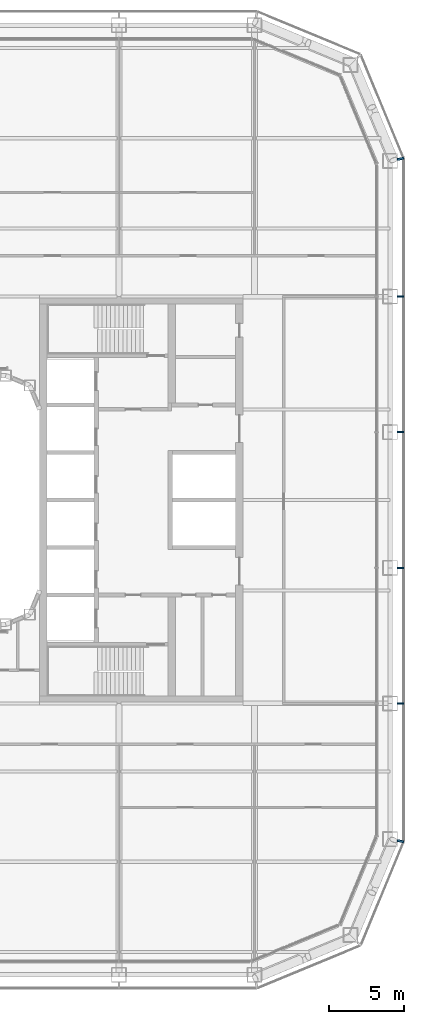
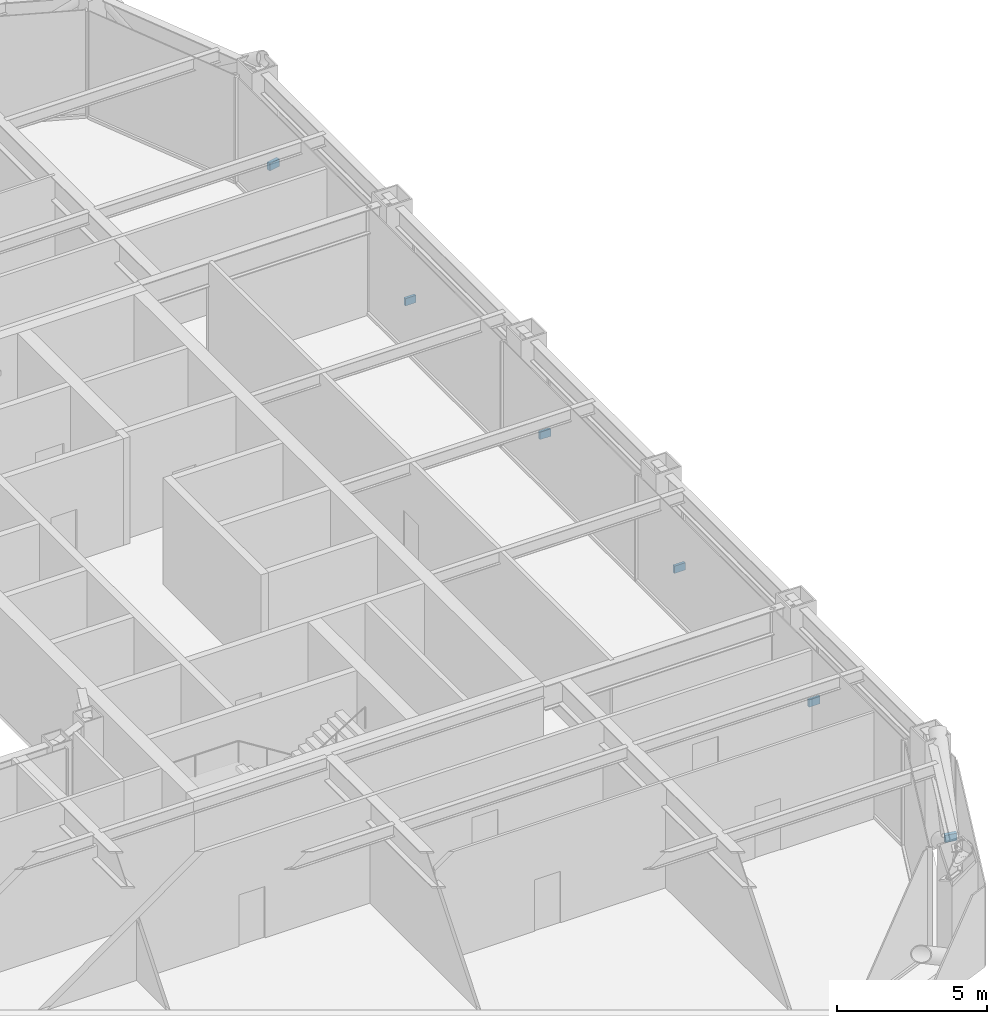
# One storey, part 21 of 27: 6 discrete accessories.
"""IFC4 building model written with IfcOpenShell, lengths in metres."""

from ifc_helpers import new_model, si_unit, direction, frame, origin, origin_2d, place, context, subcontext, project, spatial, rectangle, extrude, material, type_object, element, save


model = new_model("IFC4")

# Units and contexts
model_context = context("Model", 3, precision=1e-05, world=origin(), true_north=direction((0.0, 1.0)))
body_context = subcontext(model_context, "Body", "Model", "MODEL_VIEW")
ifc_project = project(units=[si_unit("LENGTHUNIT", "METRE"), si_unit("AREAUNIT", "SQUARE_METRE"), si_unit("VOLUMEUNIT", "CUBIC_METRE"), si_unit("PLANEANGLEUNIT", "RADIAN"), si_unit("MASSUNIT", "GRAM", prefix="KILO")], contexts=[model_context])

# Site, building, storey
site_placement = place(None, origin())
site = spatial("IfcSite", under=ifc_project, at=site_placement, CompositionType="ELEMENT")
building_placement = place(site_placement, origin())
building = spatial("IfcBuilding", under=site, at=building_placement, Name="Siwar Civic Tower", CompositionType="ELEMENT")
storey_placement = place(building_placement, frame((0.0, 0.0, 71.699951171875)))
storey = spatial("IfcBuildingStorey", under=building, at=storey_placement, Name="L15", CompositionType="ELEMENT", Elevation=71.699951171875)

# Discrete accessories
ifc_material = material(Name="Stainless steel 316", Category="steel")
discrete_accessory_type = type_object("IfcDiscreteAccessoryType", Name="ENV-BRACKET", PredefinedType="BRACKET", material=ifc_material)
for number, where, z_axis, x_axis, name in (
    (1, (32.18994140625, -13.5, -0.14990234375), (0.0, 0.0, 1.0), (1.0, 0.0, 0.0), "Bracket outer skin joint E-01"),
    (2, (32.18994140625, -4.5, -0.14990234375), (0.0, 0.0, 1.0), (1.0, 0.0, 0.0), "Bracket outer skin joint E-02"),
    (3, (32.18994140625, 4.5, -0.14990234375), (0.0, 0.0, 1.0), (1.0, 0.0, 0.0), "Bracket outer skin joint E-03"),
    (4, (32.18994140625, 13.5, -0.14990234375), (0.0, 0.0, 1.0), (1.0, 0.0, 0.0), "Bracket outer skin joint E-04"),
):
    element("IfcDiscreteAccessory", number, at=place(storey_placement, frame(where, z_axis=z_axis, x_axis=x_axis)), inside=storey, type_object=discrete_accessory_type, Name=name, PredefinedType="BRACKET", context=body_context, shape_type="SweptSolid", body=[
        extrude(rectangle(XDim=0.419921875, YDim=0.10009765625, at=origin_2d()), origin(), (0.0, 0.0, 1.0), 0.300048828125),
    ])
for number, where, z_axis, x_axis, name in (
    (5, (32.190185546875, -22.63720703125, -0.14990234375), (0.0, 0.0, 1.0), (0.980785280403, -0.195090322016, 0.0), "Bracket outer skin joint V03"),
    (6, (32.190185546875, 22.63720703125, -0.14990234375), (0.0, 0.0, 1.0), (0.980785280403, 0.195090322016, 0.0), "Bracket outer skin joint V04"),
):
    element("IfcDiscreteAccessory", number, at=place(storey_placement, frame(where, z_axis=z_axis, x_axis=x_axis)), inside=storey, type_object=discrete_accessory_type, Name=name, PredefinedType="BRACKET", context=body_context, shape_type="SweptSolid", body=[
        extrude(rectangle(XDim=0.427734375, YDim=0.13720703125, at=origin_2d()), origin(), (0.0, 0.0, 1.0), 0.300048828125),
    ])

save(model, "model.ifc")
